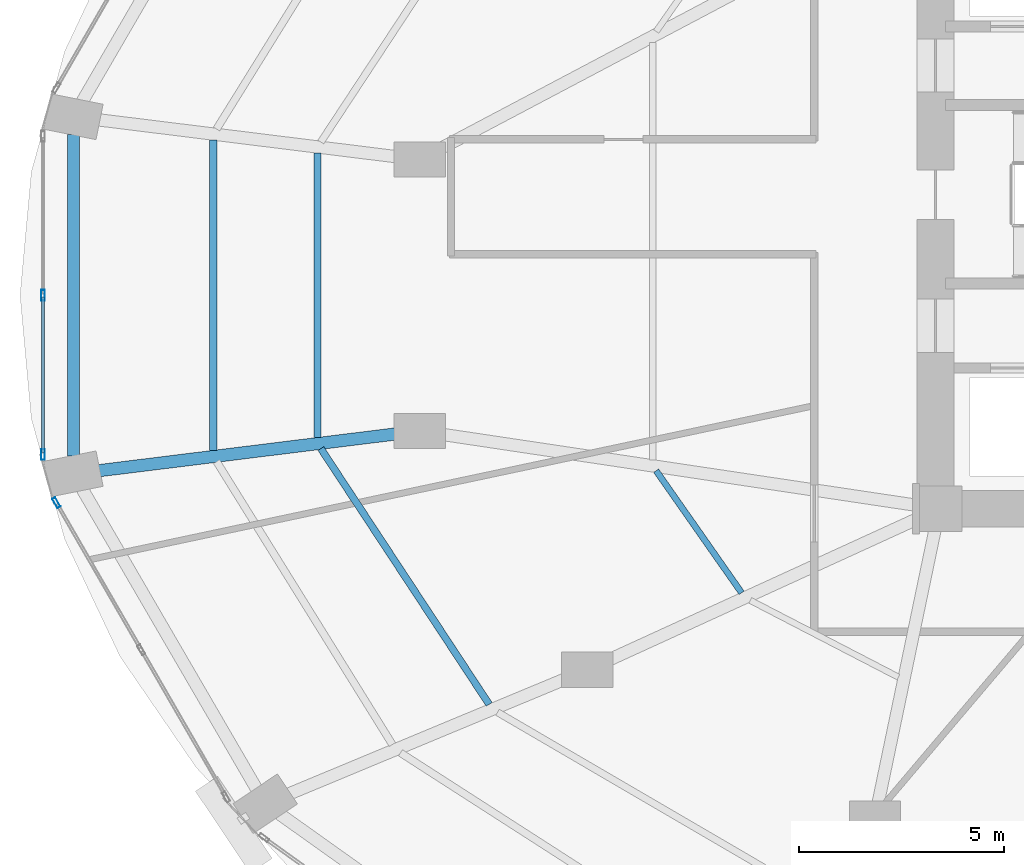
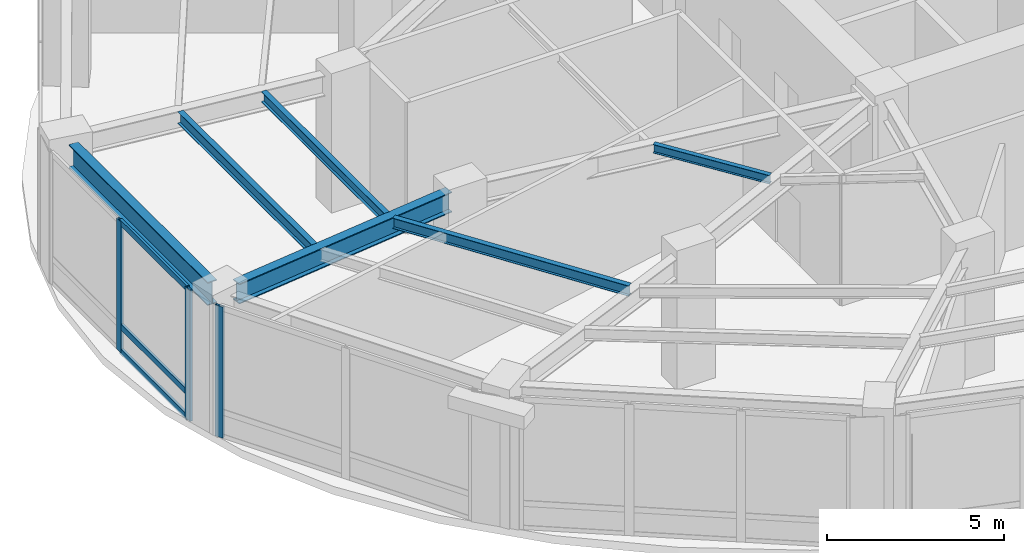
# One storey, part 6 of 24: 6 beams, 6 members, 2 elements without a shape of their own.
"""IFC4 building model written with IfcOpenShell, lengths in metres."""

from ifc_helpers import new_model, si_unit, direction, frame, origin, origin_2d, place, context, subcontext, project, spatial, hollow_rectangle, i_section, extrude, material, layer, layer_set, material_profile, profile_set, type_object, element, aggregate, save


model = new_model("IFC4")

# Units and contexts
model_context = context("Model", 3, precision=1e-05, world=origin(), true_north=direction((0.0, 1.0)))
body_context = subcontext(model_context, "Body", "Model", "MODEL_VIEW")
ifc_project = project(units=[si_unit("LENGTHUNIT", "METRE"), si_unit("AREAUNIT", "SQUARE_METRE"), si_unit("VOLUMEUNIT", "CUBIC_METRE"), si_unit("PLANEANGLEUNIT", "RADIAN"), si_unit("MASSUNIT", "GRAM", prefix="KILO")], contexts=[model_context])

# Site, building, storey
site_placement = place(None, origin())
site = spatial("IfcSite", under=ifc_project, at=site_placement, CompositionType="ELEMENT")
building_placement = place(site_placement, origin())
building = spatial("IfcBuilding", under=site, at=building_placement, Name="Lazwardi Medical Tower", CompositionType="ELEMENT")
storey_placement = place(building_placement, frame((0.0, 0.0, 10.800048828125)))
storey = spatial("IfcBuildingStorey", under=building, at=storey_placement, Name="L02", CompositionType="ELEMENT", Elevation=10.800048828125)

# Beams
ifc_material_1 = material(Name="Steel S355", Category="steel")
ifc_material_profile_1 = material_profile(ifc_material_1, i_section(OverallWidth=0.300048828125, OverallDepth=0.800048828125, WebThickness=0.017578125, FlangeThickness=0.032958984375, at=origin_2d()), Name="HEB 800")
ifc_profile_set_1 = profile_set([ifc_material_profile_1], Name="Steel S355")
beam_type_1 = type_object("IfcBeamType", Name="BM-RB-P1", PredefinedType="BEAM", material=ifc_profile_set_1)
beam_1_placement = place(storey_placement, frame((5.301513671875, 29.5205078125, 4.119873046875), z_axis=(0.0, -1.0, 0.0), x_axis=(1.0, 0.0, 0.0)))
element("IfcBeam", 1, at=beam_1_placement, inside=storey, type_object=beam_type_1, Name="Ring beam RB-01 B12 L02", PredefinedType="BEAM", context=body_context, shape_type="SweptSolid", body=[
    extrude(i_section(OverallWidth=0.300048828125, OverallDepth=0.800048828125, WebThickness=0.017578125, FlangeThickness=0.032958984375, at=origin_2d()), origin(), (0.0, 0.0, 1.0), 7.841064453125),
])
ifc_material_profile_2 = material_profile(ifc_material_1, i_section(OverallWidth=0.300048828125, OverallDepth=0.699951171875, WebThickness=0.01708984375, FlangeThickness=0.031982421875, at=origin_2d()), Name="HEB 700")
ifc_profile_set_2 = profile_set([ifc_material_profile_2], Name="Steel S355")
beam_type_2 = type_object("IfcBeamType", Name="BM-RG-P1", PredefinedType="BEAM", material=ifc_profile_set_2)
beam_2_placement = place(storey_placement, frame((5.876953125, 21.32080078125, 4.169921875), z_axis=(0.992421549031, 0.122879896728, 0.0), x_axis=(-0.122879896728, 0.992421549031, 0.0)))
element("IfcBeam", 2, at=beam_2_placement, inside=storey, type_object=beam_type_2, Name="Radial girder RG-01 R13A L02", PredefinedType="BEAM", context=body_context, shape_type="SweptSolid", body=[
    extrude(i_section(OverallWidth=0.300048828125, OverallDepth=0.699951171875, WebThickness=0.01708984375, FlangeThickness=0.031982421875, at=origin_2d()), origin(), (0.0, 0.0, 1.0), 7.52001953125),
])
ifc_material_profile_3 = material_profile(ifc_material_1, i_section(OverallWidth=0.179931640625, OverallDepth=0.39990234375, WebThickness=0.008544921875, FlangeThickness=0.013427734375, at=origin_2d()), Name="IPE 400")
ifc_profile_set_3 = profile_set([ifc_material_profile_3], Name="Steel S355")
beam_type_3 = type_object("IfcBeamType", Name="BM-SJ-01", PredefinedType="JOIST", material=ifc_profile_set_3)
beam_3_placement = place(storey_placement, frame((8.712890625, 29.383056640625, 4.320068359375), z_axis=(0.0, -1.0, 0.0), x_axis=(1.0, 0.0, 0.0)))
element("IfcBeam", 3, at=beam_3_placement, inside=storey, type_object=beam_type_3, Name="Secondary joist SJ-01 RO1 B12 L02", PredefinedType="JOIST", context=body_context, shape_type="SweptSolid", body=[
    extrude(i_section(OverallWidth=0.179931640625, OverallDepth=0.39990234375, WebThickness=0.008544921875, FlangeThickness=0.013427734375, at=origin_2d()), origin(), (0.0, 0.0, 1.0), 7.566162109375),
])
ifc_material_profile_4 = material_profile(ifc_material_1, i_section(OverallWidth=0.169921875, OverallDepth=0.360107421875, WebThickness=0.008056640625, FlangeThickness=0.0126953125, at=origin_2d()), Name="IPE 360")
ifc_profile_set_4 = profile_set([ifc_material_profile_4], Name="Steel S355")
beam_type_4 = type_object("IfcBeamType", Name="BM-SJ-02", PredefinedType="JOIST", material=ifc_profile_set_4)
beam_4_placement = place(storey_placement, frame((11.25048828125, 29.06884765625, 4.33984375), z_axis=(0.0, -1.0, 0.0), x_axis=(1.0, 0.0, 0.0)))
element("IfcBeam", 4, at=beam_4_placement, inside=storey, type_object=beam_type_4, Name="Secondary joist SJ-02 RO2 B12 L02", PredefinedType="JOIST", context=body_context, shape_type="SweptSolid", body=[
    extrude(i_section(OverallWidth=0.169921875, OverallDepth=0.360107421875, WebThickness=0.008056640625, FlangeThickness=0.0126953125, at=origin_2d()), origin(), (0.0, 0.0, 1.0), 6.937744140625),
])
beam_5_placement = place(storey_placement, frame((11.330078125, 21.864990234375, 4.33984375), z_axis=(0.549697059584, -0.835364077924, 0.0), x_axis=(0.835364077924, 0.549697059584, 0.0)))
element("IfcBeam", 5, at=beam_5_placement, inside=storey, type_object=beam_type_4, Name="Secondary joist SJ-02 RO2 B13 L02", PredefinedType="JOIST", context=body_context, shape_type="SweptSolid", body=[
    extrude(i_section(OverallWidth=0.169921875, OverallDepth=0.360107421875, WebThickness=0.008056640625, FlangeThickness=0.0126953125, at=origin_2d()), origin(), (0.0, 0.0, 1.0), 7.45849609375),
])
ifc_material_profile_5 = material_profile(ifc_material_1, i_section(OverallWidth=0.14990234375, OverallDepth=0.300048828125, WebThickness=0.007080078125, FlangeThickness=0.0107421875, at=origin_2d()), Name="IPE 300")
ifc_profile_set_5 = profile_set([ifc_material_profile_5], Name="Steel S355")
beam_type_5 = type_object("IfcBeamType", Name="BM-SJ-03", PredefinedType="JOIST", material=ifc_profile_set_5)
beam_6_placement = place(storey_placement, frame((19.498046875, 21.325927734375, 4.369873046875), z_axis=(0.573579674623, -0.819149776817, 0.0), x_axis=(0.819149776817, 0.573579674623, 0.0)))
element("IfcBeam", 6, at=beam_6_placement, inside=storey, type_object=beam_type_5, Name="Secondary joist SJ-03 RI1 B13 L02", PredefinedType="JOIST", context=body_context, shape_type="SweptSolid", body=[
    extrude(i_section(OverallWidth=0.14990234375, OverallDepth=0.300048828125, WebThickness=0.007080078125, FlangeThickness=0.0107421875, at=origin_2d()), origin(), (0.0, 0.0, 1.0), 3.630859375),
])

# Curtain wall, members
ifc_material_2 = material(Name="Anodised bronze aluminium and solar control glazing", Category="aluminium")
ifc_layer = layer(ifc_material_2, 0.219970703125)
ifc_layer_set = layer_set([ifc_layer], Name="Anodised bronze aluminium and solar control glazing")
curtain_wall_type = type_object("IfcCurtainWallType", Name="CW-SYS-01", PredefinedType="NOTDEFINED", material=ifc_layer_set)
curtain_wall_1_placement = place(storey_placement, origin())
curtain_wall_1 = element("IfcCurtainWall", 7, at=curtain_wall_1_placement, inside=storey, type_object=curtain_wall_type, Name="L02 Unitised bronze curtain wall CW-01", PredefinedType="NOTDEFINED")
ifc_material_3 = material(Name="Anodised bronze aluminium", Category="aluminium")
ifc_material_profile_6 = material_profile(ifc_material_3, hollow_rectangle(XDim=0.0849609375, YDim=0.260009765625, WallThickness=0.0048828125, at=origin_2d()), Name="ALU-MULLION 260x85x5")
ifc_profile_set_6 = profile_set([ifc_material_profile_6], Name="Anodised bronze aluminium")
member_type_1 = type_object("IfcMemberType", Name="CW-MUL-02", PredefinedType="MULLION", material=ifc_profile_set_6)
member_1_placement = place(storey_placement, frame((4.560302734375, 25.60009765625, 0.0), z_axis=(0.0, 0.0, 1.0), x_axis=(1.0, 0.0, 0.0)))
member_1 = element("IfcMember", 8, at=member_1_placement, type_object=member_type_1, Name="CW-01 mullion 2", PredefinedType="MULLION", context=body_context, shape_type="SweptSolid", body=[
    extrude(hollow_rectangle(XDim=0.0849609375, YDim=0.260009765625, WallThickness=0.0048828125, at=origin_2d()), origin(), (0.0, 0.0, 1.0), 4.52001953125),
])
member_2_placement = place(storey_placement, frame((4.560302734375, 21.723388671875, 0.0), z_axis=(0.0, 0.0, 1.0), x_axis=(1.0, 0.0, 0.0)))
member_2 = element("IfcMember", 9, at=member_2_placement, type_object=member_type_1, Name="CW-01 mullion 3", PredefinedType="MULLION", context=body_context, shape_type="SweptSolid", body=[
    extrude(hollow_rectangle(XDim=0.0849609375, YDim=0.260009765625, WallThickness=0.0048828125, at=origin_2d()), origin(), (0.0, 0.0, 1.0), 4.52001953125),
])

# Curtain wall, member
curtain_wall_2_placement = place(storey_placement, origin())
curtain_wall_2 = element("IfcCurtainWall", 10, at=curtain_wall_2_placement, inside=storey, type_object=curtain_wall_type, Name="L02 Unitised bronze curtain wall CW-01", PredefinedType="NOTDEFINED")
member_3_placement = place(storey_placement, frame((4.8857421875, 20.5458984375, 0.0), z_axis=(0.0, 0.0, 1.0), x_axis=(0.866180607783, 0.499731082384, 0.0)))
member_3 = element("IfcMember", 11, at=member_3_placement, type_object=member_type_1, Name="CW-01 mullion 1", PredefinedType="MULLION", context=body_context, shape_type="SweptSolid", body=[
    extrude(hollow_rectangle(XDim=0.0849609375, YDim=0.260009765625, WallThickness=0.0048828125, at=origin_2d()), origin(), (0.0, 0.0, 1.0), 4.52001953125),
])
aggregate(curtain_wall_2, [member_3])

# Member
ifc_material_profile_7 = material_profile(ifc_material_3, hollow_rectangle(XDim=0.0849609375, YDim=0.199951171875, WallThickness=0.00439453125, at=origin_2d()), Name="ALU-TRANSOM 200x85x4.5")
ifc_profile_set_7 = profile_set([ifc_material_profile_7], Name="Anodised bronze aluminium")
member_type_2 = type_object("IfcMemberType", Name="CW-TRN-02", PredefinedType="USERDEFINED", material=ifc_profile_set_7)
member_4_placement = place(storey_placement, frame((4.560302734375, 25.5576171875, 0.04248046875), z_axis=(0.0, -1.0, 0.0), x_axis=(1.0, 0.0, 0.0)))
member_4 = element("IfcMember", 12, at=member_4_placement, type_object=member_type_2, Name="CW-01 transom 2.1", ObjectType="TRANSOM", PredefinedType="USERDEFINED", context=body_context, shape_type="SweptSolid", body=[
    extrude(hollow_rectangle(XDim=0.0849609375, YDim=0.199951171875, WallThickness=0.00439453125, at=origin_2d()), origin(), (0.0, 0.0, 1.0), 3.791748046875),
])

member_5_placement = place(storey_placement, frame((4.560302734375, 25.5576171875, 0.89990234375), z_axis=(0.0, -1.0, 0.0), x_axis=(1.0, 0.0, 0.0)))
member_5 = element("IfcMember", 13, at=member_5_placement, type_object=member_type_2, Name="CW-01 transom 2.2", ObjectType="TRANSOM", PredefinedType="USERDEFINED", context=body_context, shape_type="SweptSolid", body=[
    extrude(hollow_rectangle(XDim=0.0849609375, YDim=0.199951171875, WallThickness=0.00439453125, at=origin_2d()), origin(), (0.0, 0.0, 1.0), 3.791748046875),
])

member_6_placement = place(storey_placement, frame((4.560302734375, 25.5576171875, 4.4775390625), z_axis=(0.0, -1.0, 0.0), x_axis=(1.0, 0.0, 0.0)))
member_6 = element("IfcMember", 14, at=member_6_placement, type_object=member_type_2, Name="CW-01 transom 2.3", ObjectType="TRANSOM", PredefinedType="USERDEFINED", context=body_context, shape_type="SweptSolid", body=[
    extrude(hollow_rectangle(XDim=0.0849609375, YDim=0.199951171875, WallThickness=0.00439453125, at=origin_2d()), origin(), (0.0, 0.0, 1.0), 3.791748046875),
])

aggregate(curtain_wall_1, [member_1, member_2, member_4, member_5, member_6])

save(model, "model.ifc")
